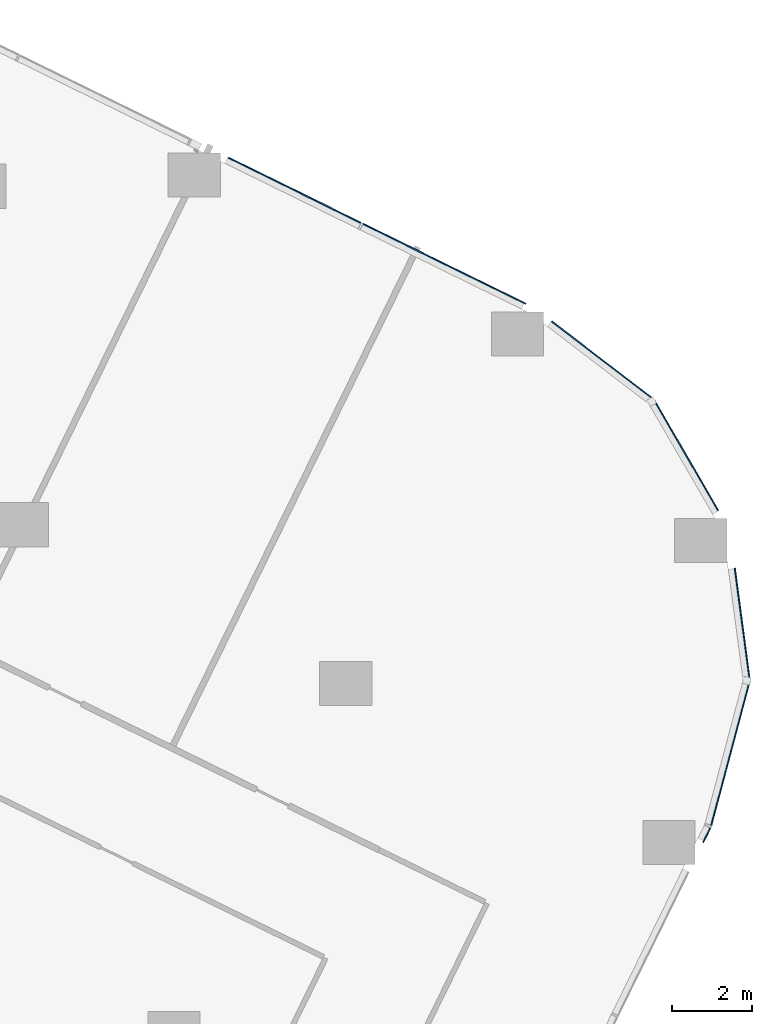
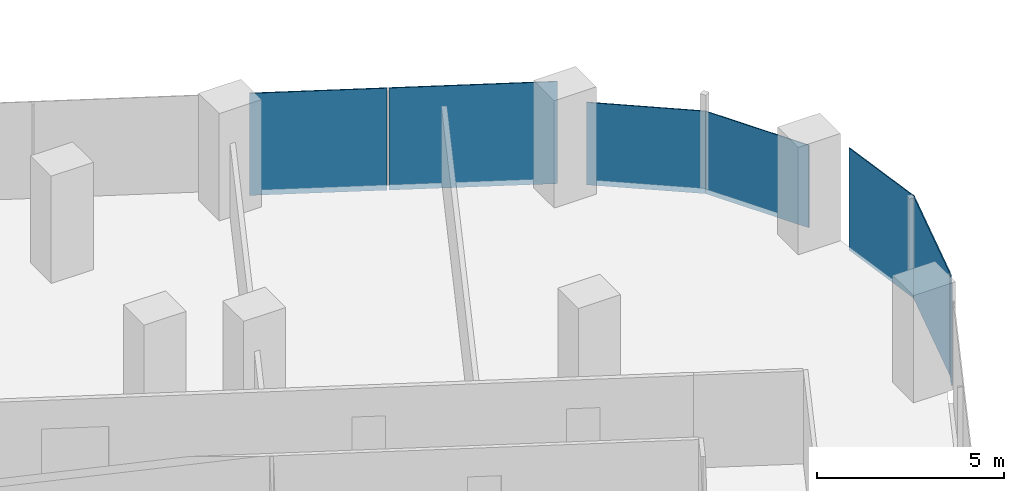
# One storey, part 23 of 38: 7 plates, 6 elements without a shape of their own.
"""IFC4 building model written with IfcOpenShell, lengths in metres."""

from ifc_helpers import new_model, si_unit, direction, frame, origin, origin_2d, place, context, subcontext, project, spatial, rectangle, extrude, material, layer, layer_set, type_object, element, aggregate, save


model = new_model("IFC4")

# Units and contexts
model_context = context("Model", 3, precision=1e-05, world=origin(), true_north=direction((0.0, 1.0)))
body_context = subcontext(model_context, "Body", "Model", "MODEL_VIEW")
ifc_project = project(units=[si_unit("LENGTHUNIT", "METRE"), si_unit("AREAUNIT", "SQUARE_METRE"), si_unit("VOLUMEUNIT", "CUBIC_METRE"), si_unit("PLANEANGLEUNIT", "RADIAN"), si_unit("MASSUNIT", "GRAM", prefix="KILO")], contexts=[model_context])

# Site, building, storey
site_placement = place(None, origin())
site = spatial("IfcSite", under=ifc_project, at=site_placement, CompositionType="ELEMENT")
building_placement = place(site_placement, origin())
building = spatial("IfcBuilding", under=site, at=building_placement, Name="Orlundy Tower", CompositionType="ELEMENT")
storey_placement = place(building_placement, frame((0.0, 0.0, 72.800048828125)))
storey = spatial("IfcBuildingStorey", under=building, at=storey_placement, Name="L17", CompositionType="ELEMENT", Elevation=72.800048828125)

# Curtain wall, plates
ifc_material_1 = material(Name="Aluminium bronze anodised", Category="aluminium")
curtain_wall_type = type_object("IfcCurtainWallType", Name="CW1 wall", PredefinedType="NOTDEFINED", material=ifc_material_1)
curtain_wall_1_placement = place(storey_placement, origin())
curtain_wall_1 = element("IfcCurtainWall", 1, at=curtain_wall_1_placement, inside=storey, type_object=curtain_wall_type, Name="CW1 run 018", PredefinedType="NOTDEFINED")
ifc_material_2 = material(Name="Tinted glass", Category="glass")
ifc_layer = layer(ifc_material_2, 0.031982421875)
ifc_layer_set = layer_set([ifc_layer], Name="CW1 glass panel 32")
plate_type = type_object("IfcPlateType", Name="CW1 glass panel 32", PredefinedType="CURTAIN_PANEL", material=ifc_layer_set)
plate_1_placement = place(storey_placement, frame((48.722900390625, -1.47314453125, -0.280029296875), z_axis=(0.0, 0.0, 1.0), x_axis=(0.897517823728, -0.440978180969, 0.0)))
plate_1 = element("IfcPlate", 2, at=plate_1_placement, type_object=plate_type, Name="CW1 panel", PredefinedType="CURTAIN_PANEL", context=body_context, shape_type="SweptSolid", body=[
    extrude(rectangle(XDim=3.68115234375, YDim=0.031982421875, at=origin_2d()), origin(), (0.0, 0.0, 1.0), 3.330078125),
])
plate_2_placement = place(storey_placement, frame((52.447021484375, -3.302978515625, -0.280029296875), z_axis=(0.0, 0.0, 1.0), x_axis=(0.897517823728, -0.440978180969, 0.0)))
plate_2 = element("IfcPlate", 3, at=plate_2_placement, type_object=plate_type, Name="CW1 panel", PredefinedType="CURTAIN_PANEL", context=body_context, shape_type="SweptSolid", body=[
    extrude(rectangle(XDim=4.517578125, YDim=0.031982421875, at=origin_2d()), origin(), (0.0, 0.0, 1.0), 3.330078125),
])
aggregate(curtain_wall_1, [plate_1, plate_2])

# Curtain wall, plate
curtain_wall_2_placement = place(storey_placement, origin())
curtain_wall_2 = element("IfcCurtainWall", 4, at=curtain_wall_2_placement, inside=storey, type_object=curtain_wall_type, Name="CW1 run 019", PredefinedType="NOTDEFINED")
plate_3_placement = place(storey_placement, frame((56.390869140625, -5.708740234375, -0.280029296875), z_axis=(0.0, 0.0, 1.0), x_axis=(0.794265929863, -0.607570269729, 0.0)))
plate_3 = element("IfcPlate", 5, at=plate_3_placement, type_object=plate_type, Name="CW1 panel", PredefinedType="CURTAIN_PANEL", context=body_context, shape_type="SweptSolid", body=[
    extrude(rectangle(XDim=3.202392578125, YDim=0.031982421875, at=origin_2d()), origin(), (0.0, 0.0, 1.0), 2.68994140625),
])
aggregate(curtain_wall_2, [plate_3])

curtain_wall_3_placement = place(storey_placement, origin())
curtain_wall_3 = element("IfcCurtainWall", 6, at=curtain_wall_3_placement, inside=storey, type_object=curtain_wall_type, Name="CW1 run 020", PredefinedType="NOTDEFINED")
plate_4_placement = place(storey_placement, frame((58.462158203125, -8.062255859375, -0.280029296875), z_axis=(0.0, 0.0, 1.0), x_axis=(0.501185126223, -0.865340088782, 0.0)))
plate_4 = element("IfcPlate", 7, at=plate_4_placement, type_object=plate_type, Name="CW1 panel", PredefinedType="CURTAIN_PANEL", context=body_context, shape_type="SweptSolid", body=[
    extrude(rectangle(XDim=3.191162109375, YDim=0.031982421875, at=origin_2d()), origin(), (0.0, 0.0, 1.0), 2.68994140625),
])
aggregate(curtain_wall_3, [plate_4])

curtain_wall_4_placement = place(storey_placement, origin())
curtain_wall_4 = element("IfcCurtainWall", 8, at=curtain_wall_4_placement, inside=storey, type_object=curtain_wall_type, Name="CW1 run 021", PredefinedType="NOTDEFINED")
plate_5_placement = place(storey_placement, frame((59.864013671875, -12.2802734375, -0.280029296875), z_axis=(0.0, 0.0, 1.0), x_axis=(0.131933971093, -0.991258506784, 0.0)))
plate_5 = element("IfcPlate", 9, at=plate_5_placement, type_object=plate_type, Name="CW1 panel", PredefinedType="CURTAIN_PANEL", context=body_context, shape_type="SweptSolid", body=[
    extrude(rectangle(XDim=2.833740234375, YDim=0.031982421875, at=origin_2d()), origin(), (0.0, 0.0, 1.0), 3.330078125),
])
aggregate(curtain_wall_4, [plate_5])

curtain_wall_5_placement = place(storey_placement, origin())
curtain_wall_5 = element("IfcCurtainWall", 10, at=curtain_wall_5_placement, inside=storey, type_object=curtain_wall_type, Name="CW1 run 022", PredefinedType="NOTDEFINED")
plate_6_placement = place(storey_placement, frame((59.57080078125, -15.487060546875, -0.280029296875), z_axis=(0.0, 0.0, 1.0), x_axis=(-0.257360406209, -0.966315487466, 0.0)))
plate_6 = element("IfcPlate", 11, at=plate_6_placement, type_object=plate_type, Name="CW1 panel", PredefinedType="CURTAIN_PANEL", context=body_context, shape_type="SweptSolid", body=[
    extrude(rectangle(XDim=3.73046875, YDim=0.031982421875, at=origin_2d()), origin(), (0.0, 0.0, 1.0), 3.330078125),
])
aggregate(curtain_wall_5, [plate_6])

curtain_wall_6_placement = place(storey_placement, origin())
curtain_wall_6 = element("IfcCurtainWall", 12, at=curtain_wall_6_placement, inside=storey, type_object=curtain_wall_type, Name="CW1 run 023", PredefinedType="NOTDEFINED")
plate_7_placement = place(storey_placement, frame((58.981201171875, -17.52392578125, -0.280029296875), z_axis=(0.0, 0.0, 1.0), x_axis=(-0.441012235503, -0.897501090883, 0.0)))
plate_7 = element("IfcPlate", 13, at=plate_7_placement, type_object=plate_type, Name="CW1 panel", PredefinedType="CURTAIN_PANEL", context=body_context, shape_type="SweptSolid", body=[
    extrude(rectangle(XDim=0.417724609375, YDim=0.031982421875, at=origin_2d()), origin(), (0.0, 0.0, 1.0), 3.330078125),
])
aggregate(curtain_wall_6, [plate_7])

save(model, "model.ifc")
